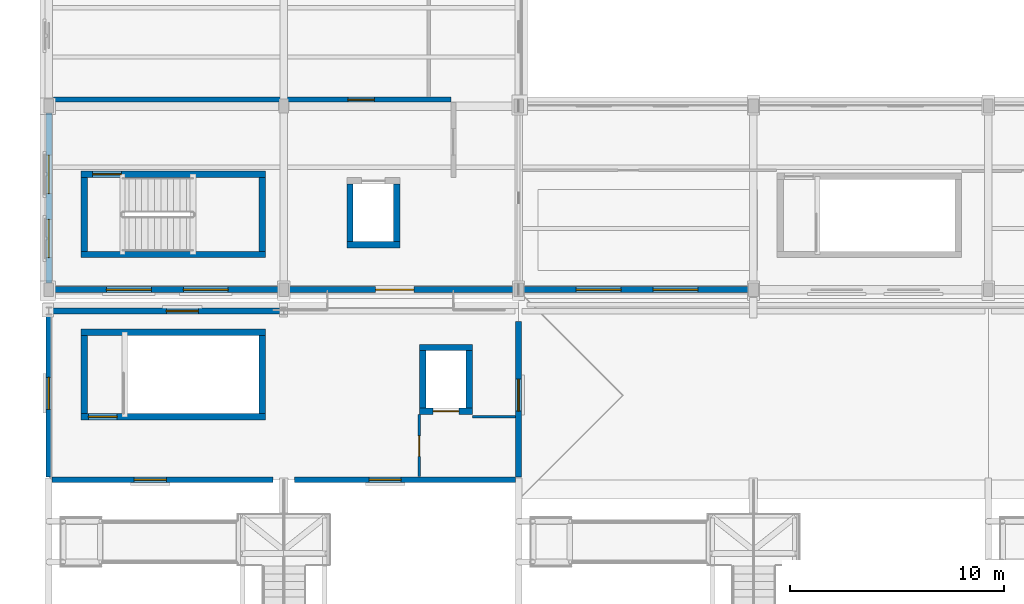
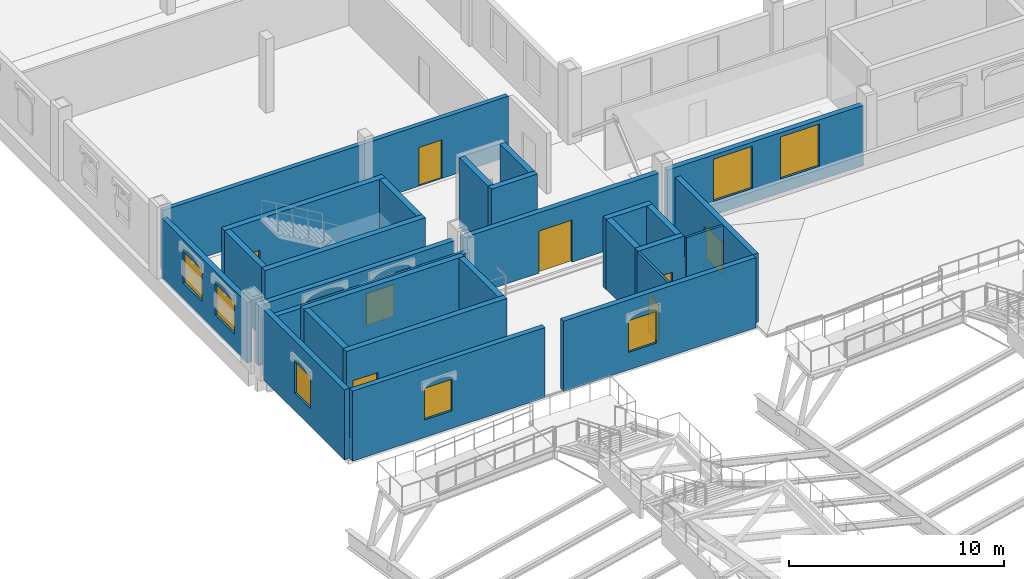
# One storey, part 22 of 43: 27 walls, 11 windows, 6 doors, 17 openings.
"""IFC4 building model written with IfcOpenShell, lengths in metres."""

from ifc_helpers import new_model, si_unit, direction, frame, frame_2d, origin, place, context, subcontext, project, spatial, rectangle, extrude, material, layer, layer_set, type_object, element, fill, save


model = new_model("IFC4")

# Units and contexts
model_context = context("Model", 3, precision=1e-05, world=origin(), true_north=direction((0.0, 1.0)))
body_context = subcontext(model_context, "Body", "Model", "MODEL_VIEW")
ifc_project = project(units=[si_unit("LENGTHUNIT", "METRE"), si_unit("AREAUNIT", "SQUARE_METRE"), si_unit("VOLUMEUNIT", "CUBIC_METRE"), si_unit("PLANEANGLEUNIT", "RADIAN"), si_unit("MASSUNIT", "GRAM", prefix="KILO")], contexts=[model_context])

# Site, building, storey
site_placement = place(None, origin())
site = spatial("IfcSite", under=ifc_project, at=site_placement, CompositionType="ELEMENT")
building_placement = place(site_placement, origin())
building = spatial("IfcBuilding", under=site, at=building_placement, Name="Caurita Quay Ferry Terminal", CompositionType="ELEMENT")
storey_placement = place(building_placement, frame((0.0, 0.0, 14.10009765625)))
storey = spatial("IfcBuildingStorey", under=building, at=storey_placement, Name="L03", CompositionType="ELEMENT", Elevation=14.10009765625)

# Wall, opening, door
ifc_material_1 = material(Name="Warm-white lime stucco masonry", Category="masonry")
ifc_layer_1 = layer(ifc_material_1, 0.239990234375, Name="Interior partitioning wall 240 mm")
ifc_layer_set_1 = layer_set([ifc_layer_1], Name="Warm-white lime stucco masonry")
wall_type_1 = type_object("IfcWallType", Name="WL-COMP-240", PredefinedType="PARTITIONING", material=ifc_layer_set_1)
wall_1_placement = place(storey_placement, frame((0.22998046875, 80.5, 0.0), z_axis=(0.0, 0.0, 1.0), x_axis=(1.0, 0.0, 0.0)))
wall_1 = element("IfcWall", 1, at=wall_1_placement, inside=storey, type_object=wall_type_1, Name="L03 Interior Partition IW-L03-101", PredefinedType="PARTITIONING", context=body_context, shape_type="SweptSolid", body=[
    extrude(rectangle(XDim=18.594970703125, YDim=0.239990234375, at=frame_2d((9.29736328125, 0.0))), origin(), (0.0, 0.0, 1.0), 3.43896484375),
])
opening_1_placement = place(wall_1_placement, frame((13.77001953125, 0.0, 0.0)))
opening_1 = element("IfcOpeningElement", 2, at=opening_1_placement, cuts=wall_1, Name="Opening FD-01", PredefinedType="OPENING", context=body_context, shape_type="SweptSolid", body=[
    extrude(rectangle(XDim=1.25, YDim=2.199951171875, at=frame_2d((0.625, 1.10009765625))), frame((0.0, 0.1298828125, 0.0), z_axis=(0.0, -1.0, 0.0), x_axis=(1.0, 0.0, 0.0)), (0.0, 0.0, 1.0), 0.260009765625),
])
ifc_material_2 = material(Name="Anodized aluminium 6063-T6", Category="aluminium")
door_type_1 = type_object("IfcDoorType", Name="DR-FF-1100", OperationType="NOTDEFINED", PredefinedType="DOOR", material=ifc_material_2)
door_1_placement = place(opening_1_placement, frame((1.25, 0.0, 0.0), z_axis=(0.0, 0.0, 1.0), x_axis=(-1.0, 0.0, 0.0)))
door_1 = element("IfcDoor", 3, at=door_1_placement, inside=storey, type_object=door_type_1, Name="Firefighting Lobby L03 South Door", OperationType="SINGLE_SWING_RIGHT", OverallHeight=2.199951171875, OverallWidth=1.25, PredefinedType="DOOR", context=body_context, shape_type="SweptSolid", body=[
    extrude(rectangle(XDim=1.25, YDim=2.199951171875, at=frame_2d((0.625, 1.10009765625))), frame((0.0, 0.02490234375, 0.0), z_axis=(0.0, -1.0, 0.0), x_axis=(1.0, 0.0, 0.0)), (0.0, 0.0, 1.0), 0.050048828125),
])
fill(opening_1, door_1)

# Wall
ifc_material_3 = material(Name="Reinforced concrete C35/45", Category="concrete")
ifc_layer_2 = layer(ifc_material_3, 0.300048828125, Name="Interior shear wall 300 mm")
ifc_layer_set_2 = layer_set([ifc_layer_2], Name="Reinforced concrete C35/45")
wall_type_2 = type_object("IfcWallType", Name="WL-CORE-300", PredefinedType="SHEAR", material=ifc_layer_set_2)
wall_2_placement = place(storey_placement, frame((1.5, 73.25, 0.0), z_axis=(0.0, 0.0, 1.0), x_axis=(1.0, 0.0, 0.0)))
element("IfcWall", 4, at=wall_2_placement, inside=storey, type_object=wall_type_2, Name="L03 ST-02 Core Wall South", PredefinedType="SHEAR", context=body_context, shape_type="SweptSolid", body=[
    extrude(rectangle(XDim=8.64990234375, YDim=0.300048828125, at=frame_2d((4.324951171875, 0.0))), origin(), (0.0, 0.0, 1.0), 3.97998046875),
])

# Wall, opening, door
wall_3_placement = place(storey_placement, frame((10.14990234375, 77.010009765625, 0.0), z_axis=(0.0, 0.0, 1.0), x_axis=(-1.0, 0.0, 0.0)))
wall_3 = element("IfcWall", 5, at=wall_3_placement, inside=storey, type_object=wall_type_2, Name="L03 ST-02 Core Wall North", PredefinedType="SHEAR", context=body_context, shape_type="SweptSolid", body=[
    extrude(rectangle(XDim=8.64990234375, YDim=0.300048828125, at=frame_2d((4.324951171875, 0.0))), origin(), (0.0, 0.0, 1.0), 3.97998046875),
])
opening_2_placement = place(wall_3_placement, frame((6.75, 0.0, 0.0)))
opening_2 = element("IfcOpeningElement", 6, at=opening_2_placement, cuts=wall_3, Name="Opening SD-01", PredefinedType="OPENING", context=body_context, shape_type="SweptSolid", body=[
    extrude(rectangle(XDim=1.35009765625, YDim=2.199951171875, at=frame_2d((0.675048828125, 1.10009765625))), frame((0.0, 0.159912109375, 0.0), z_axis=(0.0, -1.0, 0.0), x_axis=(1.0, 0.0, 0.0)), (0.0, 0.0, 1.0), 0.320068359375),
])
door_type_2 = type_object("IfcDoorType", Name="DR-ST-1200", OperationType="NOTDEFINED", PredefinedType="DOOR", material=ifc_material_2)
door_2_placement = place(opening_2_placement, origin())
door_2 = element("IfcDoor", 7, at=door_2_placement, inside=storey, type_object=door_type_2, Name="L03 Exit Stair ST-02 Fire Door", OperationType="SINGLE_SWING_LEFT", OverallHeight=2.199951171875, OverallWidth=1.35009765625, PredefinedType="DOOR", context=body_context, shape_type="SweptSolid", body=[
    extrude(rectangle(XDim=1.35009765625, YDim=2.199951171875, at=frame_2d((0.675048828125, 1.10009765625))), frame((0.0, 0.02490234375, 0.0), z_axis=(0.0, -1.0, 0.0), x_axis=(1.0, 0.0, 0.0)), (0.0, 0.0, 1.0), 0.050048828125),
])
fill(opening_2, door_2)

# Walls
for number, where, z_axis, x_axis, name in (
    (8, (1.64990234375, 76.860107421875, 0.0), (0.0, 0.0, 1.0), (0.0, -1.0, 0.0), "L03 ST-02 Core Wall West"),
    (9, (10.0, 73.39990234375, 0.0), (0.0, 0.0, 1.0), (0.0, 1.0, 0.0), "L03 ST-02 Core Wall East"),
):
    element("IfcWall", number, at=place(storey_placement, frame(where, z_axis=z_axis, x_axis=x_axis)), inside=storey, type_object=wall_type_2, Name=name, PredefinedType="SHEAR", context=body_context, shape_type="SweptSolid", body=[
        extrude(rectangle(XDim=3.460205078125, YDim=0.300048828125, at=frame_2d((1.72998046875, 0.0))), origin(), (0.0, 0.0, 1.0), 3.97998046875),
    ])

# Wall, opening, door
wall_4_placement = place(storey_placement, frame((1.5, 65.64990234375, 0.0), z_axis=(0.0, 0.0, 1.0), x_axis=(1.0, 0.0, 0.0)))
wall_4 = element("IfcWall", 10, at=wall_4_placement, inside=storey, type_object=wall_type_2, Name="L03 ST-05 Core Wall South", PredefinedType="SHEAR", context=body_context, shape_type="SweptSolid", body=[
    extrude(rectangle(XDim=8.64990234375, YDim=0.300048828125, at=frame_2d((4.324951171875, 0.0))), origin(), (0.0, 0.0, 1.0), 3.989990234375),
])
opening_3_placement = place(wall_4_placement, frame((0.35009765625, 0.0, 0.0)))
opening_3 = element("IfcOpeningElement", 11, at=opening_3_placement, cuts=wall_4, Name="Opening SD-01", PredefinedType="OPENING", context=body_context, shape_type="SweptSolid", body=[
    extrude(rectangle(XDim=1.35009765625, YDim=2.199951171875, at=frame_2d((0.675048828125, 1.10009765625))), frame((0.0, 0.159912109375, 0.0), z_axis=(0.0, -1.0, 0.0), x_axis=(1.0, 0.0, 0.0)), (0.0, 0.0, 1.0), 0.320068359375),
])
door_3_placement = place(opening_3_placement, origin())
door_3 = element("IfcDoor", 12, at=door_3_placement, inside=storey, type_object=door_type_2, Name="L03 Exit Stair ST-05 Fire Door", OperationType="SINGLE_SWING_LEFT", OverallHeight=2.199951171875, OverallWidth=1.35009765625, PredefinedType="DOOR", context=body_context, shape_type="SweptSolid", body=[
    extrude(rectangle(XDim=1.35009765625, YDim=2.199951171875, at=frame_2d((0.675048828125, 1.10009765625))), frame((0.0, 0.02490234375, 0.0), z_axis=(0.0, -1.0, 0.0), x_axis=(1.0, 0.0, 0.0)), (0.0, 0.0, 1.0), 0.050048828125),
])
fill(opening_3, door_3)

# Walls
wall_5_placement = place(storey_placement, frame((10.14990234375, 69.610107421875, 0.0), z_axis=(0.0, 0.0, 1.0), x_axis=(-1.0, 0.0, 0.0)))
element("IfcWall", 13, at=wall_5_placement, inside=storey, type_object=wall_type_2, Name="L03 ST-05 Core Wall North", PredefinedType="SHEAR", context=body_context, shape_type="SweptSolid", body=[
    extrude(rectangle(XDim=8.64990234375, YDim=0.300048828125, at=frame_2d((4.324951171875, 0.0))), origin(), (0.0, 0.0, 1.0), 3.989990234375),
])
for number, where, z_axis, x_axis, name in (
    (14, (1.64990234375, 69.4599609375, 0.0), (0.0, 0.0, 1.0), (0.0, -1.0, 0.0), "L03 ST-05 Core Wall West"),
    (15, (10.0, 65.800048828125, 0.0), (0.0, 0.0, 1.0), (0.0, 1.0, 0.0), "L03 ST-05 Core Wall East"),
):
    element("IfcWall", number, at=place(storey_placement, frame(where, z_axis=z_axis, x_axis=x_axis)), inside=storey, type_object=wall_type_2, Name=name, PredefinedType="SHEAR", context=body_context, shape_type="SweptSolid", body=[
        extrude(rectangle(XDim=3.659912109375, YDim=0.300048828125, at=frame_2d((1.830078125, 0.0))), origin(), (0.0, 0.0, 1.0), 3.989990234375),
    ])
wall_6_placement = place(storey_placement, frame((13.955078125, 73.705078125, 0.0), z_axis=(0.0, 0.0, 1.0), x_axis=(1.0, 0.0, 0.0)))
element("IfcWall", 16, at=wall_6_placement, inside=storey, type_object=wall_type_2, Name="L03 Lift LF-02 Shaft Wall South", PredefinedType="SHEAR", context=body_context, shape_type="SweptSolid", body=[
    extrude(rectangle(XDim=2.489990234375, YDim=0.300048828125, at=frame_2d((1.2451171875, 0.0))), origin(), (0.0, 0.0, 1.0), 3.97998046875),
])
for number, where, z_axis, x_axis, name in (
    (17, (14.10498046875, 76.544921875, 0.0), (0.0, 0.0, 1.0), (0.0, -1.0, 0.0), "L03 Lift LF-02 Shaft Wall West"),
    (18, (16.294921875, 73.85498046875, 0.0), (0.0, 0.0, 1.0), (0.0, 1.0, 0.0), "L03 Lift LF-02 Shaft Wall East"),
):
    element("IfcWall", number, at=place(storey_placement, frame(where, z_axis=z_axis, x_axis=x_axis)), inside=storey, type_object=wall_type_2, Name=name, PredefinedType="SHEAR", context=body_context, shape_type="SweptSolid", body=[
        extrude(rectangle(XDim=2.68994140625, YDim=0.300048828125, at=frame_2d((1.344970703125, 0.0))), origin(), (0.0, 0.0, 1.0), 3.97998046875),
    ])

# Wall, opening, door
wall_7_placement = place(storey_placement, frame((17.35498046875, 65.905029296875, 0.0), z_axis=(0.0, 0.0, 1.0), x_axis=(1.0, 0.0, 0.0)))
wall_7 = element("IfcWall", 19, at=wall_7_placement, inside=storey, type_object=wall_type_2, Name="L03 Lift LP-01 Shaft Wall South", PredefinedType="SHEAR", context=body_context, shape_type="SweptSolid", body=[
    extrude(rectangle(XDim=2.489990234375, YDim=0.300048828125, at=frame_2d((1.2451171875, 0.0))), origin(), (0.0, 0.0, 1.0), 3.989990234375),
])
opening_4_placement = place(wall_7_placement, frame((0.64501953125, 0.0, 0.0)))
opening_4 = element("IfcOpeningElement", 20, at=opening_4_placement, cuts=wall_7, Name="Opening LD-02", PredefinedType="OPENING", context=body_context, shape_type="SweptSolid", body=[
    extrude(rectangle(XDim=1.199951171875, YDim=2.14990234375, at=frame_2d((0.60009765625, 1.074951171875))), frame((0.0, 0.159912109375, 0.0), z_axis=(0.0, -1.0, 0.0), x_axis=(1.0, 0.0, 0.0)), (0.0, 0.0, 1.0), 0.320068359375),
])
ifc_material_4 = material(Name="Bronze architectural metalwork", Category="metal")
door_type_3 = type_object("IfcDoorType", Name="DR-LD-02", OperationType="DOUBLE_DOOR_SLIDING", PredefinedType="DOOR", material=ifc_material_4)
door_4_placement = place(opening_4_placement, frame((1.199951171875, 0.0, 0.0), z_axis=(0.0, 0.0, 1.0), x_axis=(-1.0, 0.0, 0.0)))
door_4 = element("IfcDoor", 21, at=door_4_placement, inside=storey, type_object=door_type_3, Name="L03 Lift LP-01 Sliding Landing Door", OperationType="DOUBLE_DOOR_SLIDING", OverallHeight=2.14990234375, OverallWidth=1.199951171875, PredefinedType="DOOR", context=body_context, shape_type="SweptSolid", body=[
    extrude(rectangle(XDim=1.199951171875, YDim=2.14990234375, at=frame_2d((0.60009765625, 1.074951171875))), frame((0.0, 0.02490234375, 0.0), z_axis=(0.0, -1.0, 0.0), x_axis=(1.0, 0.0, 0.0)), (0.0, 0.0, 1.0), 0.050048828125),
])
fill(opening_4, door_4)

# Walls
wall_8_placement = place(storey_placement, frame((19.844970703125, 68.89501953125, 0.0), z_axis=(0.0, 0.0, 1.0), x_axis=(-1.0, 0.0, 0.0)))
element("IfcWall", 22, at=wall_8_placement, inside=storey, type_object=wall_type_2, Name="L03 Lift LP-01 Shaft Wall North", PredefinedType="SHEAR", context=body_context, shape_type="SweptSolid", body=[
    extrude(rectangle(XDim=2.489990234375, YDim=0.300048828125, at=frame_2d((1.2451171875, 0.0))), origin(), (0.0, 0.0, 1.0), 3.989990234375),
])
for number, where, z_axis, x_axis, name in (
    (23, (17.5048828125, 68.7451171875, 0.0), (0.0, 0.0, 1.0), (0.0, -1.0, 0.0), "L03 Lift LP-01 Shaft Wall West"),
    (24, (19.695068359375, 66.054931640625, 0.0), (0.0, 0.0, 1.0), (0.0, 1.0, 0.0), "L03 Lift LP-01 Shaft Wall East"),
):
    element("IfcWall", number, at=place(storey_placement, frame(where, z_axis=z_axis, x_axis=x_axis)), inside=storey, type_object=wall_type_2, Name=name, PredefinedType="SHEAR", context=body_context, shape_type="SweptSolid", body=[
        extrude(rectangle(XDim=2.690185546875, YDim=0.300048828125, at=frame_2d((1.34521484375, 0.0))), origin(), (0.0, 0.0, 1.0), 3.989990234375),
    ])

# Wall, openings, windows
ifc_layer_3 = layer(ifc_material_1, 0.280029296875, Name="Exterior solidwall wall 280 mm")
ifc_layer_set_3 = layer_set([ifc_layer_3], Name="Warm-white lime stucco masonry")
wall_type_3 = type_object("IfcWallType", Name="WL-EXT-280", PredefinedType="SOLIDWALL", material=ifc_layer_set_3)
wall_9_placement = place(storey_placement, frame((0.0, 79.876953125, 0.0), z_axis=(0.0, 0.0, 1.0), x_axis=(0.0, -1.0, 0.0)))
wall_9 = element("IfcWall", 25, at=wall_9_placement, inside=storey, type_object=wall_type_3, Name="L03 Exterior Wall EW-L03-047", PredefinedType="SOLIDWALL", context=body_context, shape_type="SweptSolid", body=[
    extrude(rectangle(XDim=7.953857421875, YDim=0.280029296875, at=frame_2d((3.97705078125, 0.0))), origin(), (0.0, 0.0, 1.0), 3.43896484375),
])
opening_5_placement = place(wall_9_placement, frame((1.97705078125, 0.0, 0.949951171875)))
opening_5 = element("IfcOpeningElement", 26, at=opening_5_placement, cuts=wall_9, Name="Opening W-09", PredefinedType="OPENING", context=body_context, shape_type="SweptSolid", body=[
    extrude(rectangle(XDim=1.800048828125, YDim=1.800048828125, at=frame_2d((0.89990234375, 0.89990234375))), frame((0.0, 0.14990234375, 0.0), z_axis=(0.0, -1.0, 0.0), x_axis=(1.0, 0.0, 0.0)), (0.0, 0.0, 1.0), 0.300048828125),
])
opening_6_placement = place(wall_9_placement, frame((4.97705078125, 0.0, 0.949951171875)))
opening_6 = element("IfcOpeningElement", 27, at=opening_6_placement, cuts=wall_9, Name="Opening W-09", PredefinedType="OPENING", context=body_context, shape_type="SweptSolid", body=[
    extrude(rectangle(XDim=1.800048828125, YDim=1.800048828125, at=frame_2d((0.89990234375, 0.89990234375))), frame((0.0, 0.14990234375, 0.0), z_axis=(0.0, -1.0, 0.0), x_axis=(1.0, 0.0, 0.0)), (0.0, 0.0, 1.0), 0.300048828125),
])
ifc_material_5 = material(Name="Laminated solar-control insulated glass", Category="glass")
window_type_1 = type_object("IfcWindowType", Name="WIN-SC-1818", PartitioningType="SINGLE_PANEL", PredefinedType="WINDOW", material=ifc_material_5)
window_1_placement = place(opening_5_placement, origin())
window_1 = element("IfcWindow", 28, at=window_1_placement, inside=storey, type_object=window_type_1, Name="L03 Casement Window WN-L03-069", OverallHeight=1.800048828125, OverallWidth=1.800048828125, PartitioningType="SINGLE_PANEL", PredefinedType="WINDOW", context=body_context, shape_type="SweptSolid", body=[
    extrude(rectangle(XDim=1.800048828125, YDim=1.800048828125, at=frame_2d((0.89990234375, 0.89990234375))), frame((0.0, 0.030029296875, 0.0), z_axis=(0.0, -1.0, 0.0), x_axis=(1.0, 0.0, 0.0)), (0.0, 0.0, 1.0), 0.06005859375),
])
fill(opening_5, window_1)
window_2_placement = place(opening_6_placement, origin())
window_2 = element("IfcWindow", 29, at=window_2_placement, inside=storey, type_object=window_type_1, Name="L03 Casement Window WN-L03-070", OverallHeight=1.800048828125, OverallWidth=1.800048828125, PartitioningType="SINGLE_PANEL", PredefinedType="WINDOW", context=body_context, shape_type="SweptSolid", body=[
    extrude(rectangle(XDim=1.800048828125, YDim=1.800048828125, at=frame_2d((0.89990234375, 0.89990234375))), frame((0.0, 0.030029296875, 0.0), z_axis=(0.0, -1.0, 0.0), x_axis=(1.0, 0.0, 0.0)), (0.0, 0.0, 1.0), 0.06005859375),
])
fill(opening_6, window_2)

wall_10_placement = place(storey_placement, frame((0.222900390625, 71.60009765625, 0.0), z_axis=(0.0, 0.0, 1.0), x_axis=(1.0, 0.0, 0.0)))
wall_10 = element("IfcWall", 30, at=wall_10_placement, inside=storey, type_object=wall_type_3, Name="L03 Exterior Wall EW-L03-076", PredefinedType="SOLIDWALL", context=body_context, shape_type="SweptSolid", body=[
    extrude(rectangle(XDim=10.55419921875, YDim=0.280029296875, at=frame_2d((5.277099609375, 0.0))), origin(), (0.0, 0.0, 1.0), 3.4365234375),
])
opening_7_placement = place(wall_10_placement, frame((2.47705078125, 0.0, 0.949951171875)))
opening_7 = element("IfcOpeningElement", 31, at=opening_7_placement, cuts=wall_10, Name="Opening W-11", PredefinedType="OPENING", context=body_context, shape_type="SweptSolid", body=[
    extrude(rectangle(XDim=2.10009765625, YDim=1.800048828125, at=frame_2d((1.050048828125, 0.89990234375))), frame((0.0, 0.14990234375, 0.0), z_axis=(0.0, -1.0, 0.0), x_axis=(1.0, 0.0, 0.0)), (0.0, 0.0, 1.0), 0.300048828125),
])
opening_8_placement = place(wall_10_placement, frame((6.076904296875, 0.0, 0.949951171875)))
opening_8 = element("IfcOpeningElement", 32, at=opening_8_placement, cuts=wall_10, Name="Opening W-11", PredefinedType="OPENING", context=body_context, shape_type="SweptSolid", body=[
    extrude(rectangle(XDim=2.10009765625, YDim=1.800048828125, at=frame_2d((1.050048828125, 0.89990234375))), frame((0.0, 0.14990234375, 0.0), z_axis=(0.0, -1.0, 0.0), x_axis=(1.0, 0.0, 0.0)), (0.0, 0.0, 1.0), 0.300048828125),
])
window_type_2 = type_object("IfcWindowType", Name="WIN-SC-2118", PartitioningType="SINGLE_PANEL", PredefinedType="WINDOW", material=ifc_material_5)
window_3_placement = place(opening_7_placement, origin())
window_3 = element("IfcWindow", 33, at=window_3_placement, inside=storey, type_object=window_type_2, Name="L03 Casement Window WN-L03-113", OverallHeight=1.800048828125, OverallWidth=2.10009765625, PartitioningType="SINGLE_PANEL", PredefinedType="WINDOW", context=body_context, shape_type="SweptSolid", body=[
    extrude(rectangle(XDim=2.10009765625, YDim=1.800048828125, at=frame_2d((1.050048828125, 0.89990234375))), frame((0.0, 0.030029296875, 0.0), z_axis=(0.0, -1.0, 0.0), x_axis=(1.0, 0.0, 0.0)), (0.0, 0.0, 1.0), 0.06005859375),
])
fill(opening_7, window_3)
window_4_placement = place(opening_8_placement, origin())
window_4 = element("IfcWindow", 34, at=window_4_placement, inside=storey, type_object=window_type_2, Name="L03 Casement Window WN-L03-114", OverallHeight=1.800048828125, OverallWidth=2.10009765625, PartitioningType="SINGLE_PANEL", PredefinedType="WINDOW", context=body_context, shape_type="SweptSolid", body=[
    extrude(rectangle(XDim=2.10009765625, YDim=1.800048828125, at=frame_2d((1.050048828125, 0.89990234375))), frame((0.0, 0.030029296875, 0.0), z_axis=(0.0, -1.0, 0.0), x_axis=(1.0, 0.0, 0.0)), (0.0, 0.0, 1.0), 0.06005859375),
])
fill(opening_8, window_4)

# Wall, opening, door
wall_11_placement = place(storey_placement, frame((11.222900390625, 71.60009765625, 0.0), z_axis=(0.0, 0.0, 1.0), x_axis=(1.0, 0.0, 0.0)))
wall_11 = element("IfcWall", 35, at=wall_11_placement, inside=storey, type_object=wall_type_3, Name="L03 Exterior Wall EW-L03-077", PredefinedType="SOLIDWALL", context=body_context, shape_type="SweptSolid", body=[
    extrude(rectangle(XDim=10.55419921875, YDim=0.280029296875, at=frame_2d((5.277099609375, 0.0))), origin(), (0.0, 0.0, 1.0), 3.4365234375),
])
opening_9_placement = place(wall_11_placement, frame((4.076904296875, 0.0, 0.0)))
opening_9 = element("IfcOpeningElement", 36, at=opening_9_placement, cuts=wall_11, Name="Opening ED-03", PredefinedType="OPENING", context=body_context, shape_type="SweptSolid", body=[
    extrude(rectangle(XDim=1.800048828125, YDim=2.39990234375, at=frame_2d((0.89990234375, 1.199951171875))), frame((0.0, 0.14990234375, 0.0), z_axis=(0.0, -1.0, 0.0), x_axis=(1.0, 0.0, 0.0)), (0.0, 0.0, 1.0), 0.300048828125),
])
door_type_4 = type_object("IfcDoorType", Name="DR-EXT-1824", OperationType="NOTDEFINED", PredefinedType="DOOR", material=ifc_material_2)
door_5_placement = place(opening_9_placement, frame((1.800048828125, 0.0, 0.0), z_axis=(0.0, 0.0, 1.0), x_axis=(-1.0, 0.0, 0.0)))
door_5 = element("IfcDoor", 37, at=door_5_placement, inside=storey, type_object=door_type_4, Name="L03 Seismic Link Door SJ4-W", OperationType="SINGLE_SWING_RIGHT", OverallHeight=2.39990234375, OverallWidth=1.800048828125, PredefinedType="DOOR", context=body_context, shape_type="SweptSolid", body=[
    extrude(rectangle(XDim=1.800048828125, YDim=2.39990234375, at=frame_2d((0.89990234375, 1.199951171875))), frame((0.0, 0.02490234375, 0.0), z_axis=(0.0, -1.0, 0.0), x_axis=(1.0, 0.0, 0.0)), (0.0, 0.0, 1.0), 0.050048828125),
])
fill(opening_9, door_5)

# Wall, openings, windows
wall_12_placement = place(storey_placement, frame((22.222900390625, 71.60009765625, 0.0), z_axis=(0.0, 0.0, 1.0), x_axis=(1.0, 0.0, 0.0)))
wall_12 = element("IfcWall", 38, at=wall_12_placement, inside=storey, type_object=wall_type_3, Name="L03 Exterior Wall EW-L03-078", PredefinedType="SOLIDWALL", context=body_context, shape_type="SweptSolid", body=[
    extrude(rectangle(XDim=10.55419921875, YDim=0.280029296875, at=frame_2d((5.277099609375, 0.0))), origin(), (0.0, 0.0, 1.0), 3.4365234375),
])
opening_10_placement = place(wall_12_placement, frame((2.47705078125, 0.0, 0.800048828125)))
opening_10 = element("IfcOpeningElement", 39, at=opening_10_placement, cuts=wall_12, Name="Opening W-12", PredefinedType="OPENING", context=body_context, shape_type="SweptSolid", body=[
    extrude(rectangle(XDim=2.10009765625, YDim=2.39990234375, at=frame_2d((1.050048828125, 1.199951171875))), frame((0.0, 0.14990234375, 0.0), z_axis=(0.0, -1.0, 0.0), x_axis=(1.0, 0.0, 0.0)), (0.0, 0.0, 1.0), 0.300048828125),
])
opening_11_placement = place(wall_12_placement, frame((6.076904296875, 0.0, 0.800048828125)))
opening_11 = element("IfcOpeningElement", 40, at=opening_11_placement, cuts=wall_12, Name="Opening W-12", PredefinedType="OPENING", context=body_context, shape_type="SweptSolid", body=[
    extrude(rectangle(XDim=2.10009765625, YDim=2.39990234375, at=frame_2d((1.050048828125, 1.199951171875))), frame((0.0, 0.14990234375, 0.0), z_axis=(0.0, -1.0, 0.0), x_axis=(1.0, 0.0, 0.0)), (0.0, 0.0, 1.0), 0.300048828125),
])
window_type_3 = type_object("IfcWindowType", Name="WIN-SC-2124", PartitioningType="SINGLE_PANEL", PredefinedType="WINDOW", material=ifc_material_5)
window_5_placement = place(opening_10_placement, origin())
window_5 = element("IfcWindow", 41, at=window_5_placement, inside=storey, type_object=window_type_3, Name="L03 Casement Window WN-L03-115", OverallHeight=2.39990234375, OverallWidth=2.10009765625, PartitioningType="SINGLE_PANEL", PredefinedType="WINDOW", context=body_context, shape_type="SweptSolid", body=[
    extrude(rectangle(XDim=2.10009765625, YDim=2.39990234375, at=frame_2d((1.050048828125, 1.199951171875))), frame((0.0, 0.030029296875, 0.0), z_axis=(0.0, -1.0, 0.0), x_axis=(1.0, 0.0, 0.0)), (0.0, 0.0, 1.0), 0.06005859375),
])
fill(opening_10, window_5)
window_6_placement = place(opening_11_placement, origin())
window_6 = element("IfcWindow", 42, at=window_6_placement, inside=storey, type_object=window_type_3, Name="L03 Casement Window WN-L03-116", OverallHeight=2.39990234375, OverallWidth=2.10009765625, PartitioningType="SINGLE_PANEL", PredefinedType="WINDOW", context=body_context, shape_type="SweptSolid", body=[
    extrude(rectangle(XDim=2.10009765625, YDim=2.39990234375, at=frame_2d((1.050048828125, 1.199951171875))), frame((0.0, 0.030029296875, 0.0), z_axis=(0.0, -1.0, 0.0), x_axis=(1.0, 0.0, 0.0)), (0.0, 0.0, 1.0), 0.06005859375),
])
fill(opening_11, window_6)

# Wall, opening, window
wall_13_placement = place(storey_placement, frame((10.99560546875, 70.60009765625, 0.0), z_axis=(0.0, 0.0, 1.0), x_axis=(-1.0, 0.0, 0.0)))
wall_13 = element("IfcWall", 43, at=wall_13_placement, inside=storey, type_object=wall_type_3, Name="L03 Exterior Wall EW-L03-200", PredefinedType="SOLIDWALL", context=body_context, shape_type="SweptSolid", body=[
    extrude(rectangle(XDim=10.9912109375, YDim=0.280029296875, at=frame_2d((5.49560546875, 0.0))), origin(), (0.0, 0.0, 1.0), 3.302001953125),
])
opening_12_placement = place(wall_13_placement, frame((3.99560546875, 0.0, 1.0)))
opening_12 = element("IfcOpeningElement", 44, at=opening_12_placement, cuts=wall_13, Name="Opening W-06", PredefinedType="OPENING", context=body_context, shape_type="SweptSolid", body=[
    extrude(rectangle(XDim=1.5, YDim=1.800048828125, at=frame_2d((0.75, 0.89990234375))), frame((0.0, 0.14990234375, 0.0), z_axis=(0.0, -1.0, 0.0), x_axis=(1.0, 0.0, 0.0)), (0.0, 0.0, 1.0), 0.300048828125),
])
window_type_4 = type_object("IfcWindowType", Name="WIN-SC-1518", PartitioningType="SINGLE_PANEL", PredefinedType="WINDOW", material=ifc_material_5)
window_7_placement = place(opening_12_placement, origin())
window_7 = element("IfcWindow", 45, at=window_7_placement, inside=storey, type_object=window_type_4, Name="L03 Casement Window WN-L03-307", OverallHeight=1.800048828125, OverallWidth=1.5, PartitioningType="SINGLE_PANEL", PredefinedType="WINDOW", context=body_context, shape_type="SweptSolid", body=[
    extrude(rectangle(XDim=1.5, YDim=1.800048828125, at=frame_2d((0.75, 0.89990234375))), frame((0.0, 0.030029296875, 0.0), z_axis=(0.0, -1.0, 0.0), x_axis=(1.0, 0.0, 0.0)), (0.0, 0.0, 1.0), 0.06005859375),
])
fill(opening_12, window_7)

wall_14_placement = place(storey_placement, frame((0.137939453125, 62.699951171875, 0.0), z_axis=(0.0, 0.0, 1.0), x_axis=(1.0, 0.0, 0.0)))
wall_14 = element("IfcWall", 46, at=wall_14_placement, inside=storey, type_object=wall_type_3, Name="L03 Exterior Wall EW-L03-201", PredefinedType="SOLIDWALL", context=body_context, shape_type="SweptSolid", body=[
    extrude(rectangle(XDim=10.362060546875, YDim=0.280029296875, at=frame_2d((5.18115234375, 0.0))), origin(), (0.0, 0.0, 1.0), 3.989990234375),
])
opening_13_placement = place(wall_14_placement, frame((3.862060546875, 0.0, 1.0)))
opening_13 = element("IfcOpeningElement", 47, at=opening_13_placement, cuts=wall_14, Name="Opening W-06", PredefinedType="OPENING", context=body_context, shape_type="SweptSolid", body=[
    extrude(rectangle(XDim=1.5, YDim=1.800048828125, at=frame_2d((0.75, 0.89990234375))), frame((0.0, 0.14990234375, 0.0), z_axis=(0.0, -1.0, 0.0), x_axis=(1.0, 0.0, 0.0)), (0.0, 0.0, 1.0), 0.300048828125),
])
window_8_placement = place(opening_13_placement, origin())
window_8 = element("IfcWindow", 48, at=window_8_placement, inside=storey, type_object=window_type_4, Name="L03 Casement Window WN-L03-308", OverallHeight=1.800048828125, OverallWidth=1.5, PartitioningType="SINGLE_PANEL", PredefinedType="WINDOW", context=body_context, shape_type="SweptSolid", body=[
    extrude(rectangle(XDim=1.5, YDim=1.800048828125, at=frame_2d((0.75, 0.89990234375))), frame((0.0, 0.030029296875, 0.0), z_axis=(0.0, -1.0, 0.0), x_axis=(1.0, 0.0, 0.0)), (0.0, 0.0, 1.0), 0.06005859375),
])
fill(opening_13, window_8)

wall_15_placement = place(storey_placement, frame((11.5, 62.699951171875, 0.0), z_axis=(0.0, 0.0, 1.0), x_axis=(1.0, 0.0, 0.0)))
wall_15 = element("IfcWall", 49, at=wall_15_placement, inside=storey, type_object=wall_type_3, Name="L03 Exterior Wall EW-L03-202", PredefinedType="SOLIDWALL", context=body_context, shape_type="SweptSolid", body=[
    extrude(rectangle(XDim=10.362060546875, YDim=0.280029296875, at=frame_2d((5.18115234375, 0.0))), origin(), (0.0, 0.0, 1.0), 3.989990234375),
])
opening_14_placement = place(wall_15_placement, frame((3.5, 0.0, 1.0)))
opening_14 = element("IfcOpeningElement", 50, at=opening_14_placement, cuts=wall_15, Name="Opening W-06", PredefinedType="OPENING", context=body_context, shape_type="SweptSolid", body=[
    extrude(rectangle(XDim=1.5, YDim=1.800048828125, at=frame_2d((0.75, 0.89990234375))), frame((0.0, 0.14990234375, 0.0), z_axis=(0.0, -1.0, 0.0), x_axis=(1.0, 0.0, 0.0)), (0.0, 0.0, 1.0), 0.300048828125),
])
window_9_placement = place(opening_14_placement, origin())
window_9 = element("IfcWindow", 51, at=window_9_placement, inside=storey, type_object=window_type_4, Name="L03 Casement Window WN-L03-309", OverallHeight=1.800048828125, OverallWidth=1.5, PartitioningType="SINGLE_PANEL", PredefinedType="WINDOW", context=body_context, shape_type="SweptSolid", body=[
    extrude(rectangle(XDim=1.5, YDim=1.800048828125, at=frame_2d((0.75, 0.89990234375))), frame((0.0, 0.030029296875, 0.0), z_axis=(0.0, -1.0, 0.0), x_axis=(1.0, 0.0, 0.0)), (0.0, 0.0, 1.0), 0.06005859375),
])
fill(opening_14, window_9)

wall_16_placement = place(storey_placement, frame((0.0, 70.42041015625, 0.0), z_axis=(0.0, 0.0, 1.0), x_axis=(0.0, -1.0, 0.0)))
wall_16 = element("IfcWall", 52, at=wall_16_placement, inside=storey, type_object=wall_type_3, Name="L03 Exterior Wall EW-L03-203", PredefinedType="SOLIDWALL", context=body_context, shape_type="SweptSolid", body=[
    extrude(rectangle(XDim=7.58251953125, YDim=0.280029296875, at=frame_2d((3.791259765625, 0.0))), origin(), (0.0, 0.0, 1.0), 3.989990234375),
])
opening_15_placement = place(wall_16_placement, frame((2.92041015625, 0.0, 1.0)))
opening_15 = element("IfcOpeningElement", 53, at=opening_15_placement, cuts=wall_16, Name="Opening W-06", PredefinedType="OPENING", context=body_context, shape_type="SweptSolid", body=[
    extrude(rectangle(XDim=1.5, YDim=1.800048828125, at=frame_2d((0.75, 0.89990234375))), frame((0.0, 0.14990234375, 0.0), z_axis=(0.0, -1.0, 0.0), x_axis=(1.0, 0.0, 0.0)), (0.0, 0.0, 1.0), 0.300048828125),
])
window_10_placement = place(opening_15_placement, origin())
window_10 = element("IfcWindow", 54, at=window_10_placement, inside=storey, type_object=window_type_4, Name="L03 Casement Window WN-L03-310", OverallHeight=1.800048828125, OverallWidth=1.5, PartitioningType="SINGLE_PANEL", PredefinedType="WINDOW", context=body_context, shape_type="SweptSolid", body=[
    extrude(rectangle(XDim=1.5, YDim=1.800048828125, at=frame_2d((0.75, 0.89990234375))), frame((0.0, 0.030029296875, 0.0), z_axis=(0.0, -1.0, 0.0), x_axis=(1.0, 0.0, 0.0)), (0.0, 0.0, 1.0), 0.06005859375),
])
fill(opening_15, window_10)

wall_17_placement = place(storey_placement, frame((22.0, 62.837890625, 0.0), z_axis=(0.0, 0.0, 1.0), x_axis=(0.0, 1.0, 0.0)))
wall_17 = element("IfcWall", 55, at=wall_17_placement, inside=storey, type_object=wall_type_3, Name="L03 Exterior Wall EW-L03-204", PredefinedType="SOLIDWALL", context=body_context, shape_type="SweptSolid", body=[
    extrude(rectangle(XDim=7.26220703125, YDim=0.280029296875, at=frame_2d((3.631103515625, 0.0))), origin(), (0.0, 0.0, 1.0), 3.989990234375),
])
opening_16_placement = place(wall_17_placement, frame((3.076904296875, 0.0, 1.0)))
opening_16 = element("IfcOpeningElement", 56, at=opening_16_placement, cuts=wall_17, Name="Opening W-06", PredefinedType="OPENING", context=body_context, shape_type="SweptSolid", body=[
    extrude(rectangle(XDim=1.5, YDim=1.800048828125, at=frame_2d((0.75, 0.89990234375))), frame((0.0, 0.14990234375, 0.0), z_axis=(0.0, -1.0, 0.0), x_axis=(1.0, 0.0, 0.0)), (0.0, 0.0, 1.0), 0.300048828125),
])
window_11_placement = place(opening_16_placement, origin())
window_11 = element("IfcWindow", 57, at=window_11_placement, inside=storey, type_object=window_type_4, Name="L03 Casement Window WN-L03-311", OverallHeight=1.800048828125, OverallWidth=1.5, PartitioningType="SINGLE_PANEL", PredefinedType="WINDOW", context=body_context, shape_type="SweptSolid", body=[
    extrude(rectangle(XDim=1.5, YDim=1.800048828125, at=frame_2d((0.75, 0.89990234375))), frame((0.0, 0.030029296875, 0.0), z_axis=(0.0, -1.0, 0.0), x_axis=(1.0, 0.0, 0.0)), (0.0, 0.0, 1.0), 0.06005859375),
])
fill(opening_16, window_11)

# Wall
ifc_material_6 = material(Name="Gypsum board partition", Category="masonry")
ifc_layer_4 = layer(ifc_material_6, 0.1298828125, Name="Interior partitioning wall 130 mm")
ifc_layer_set_4 = layer_set([ifc_layer_4], Name="Gypsum board partition")
wall_type_4 = type_object("IfcWallType", Name="WL-PART-130", PredefinedType="PARTITIONING", material=ifc_layer_set_4)
wall_18_placement = place(storey_placement, frame((19.85009765625, 65.64990234375, 0.0), z_axis=(0.0, 0.0, 1.0), x_axis=(1.0, 0.0, 0.0)))
element("IfcWall", 58, at=wall_18_placement, inside=storey, type_object=wall_type_4, Name="L03 Interior Partition IW-L03-098", PredefinedType="PARTITIONING", context=body_context, shape_type="SweptSolid", body=[
    extrude(rectangle(XDim=2.0048828125, YDim=0.1298828125, at=frame_2d((1.00244140625, 0.0))), origin(), (0.0, 0.0, 1.0), 3.989990234375),
])

# Wall, opening, door
wall_19_placement = place(storey_placement, frame((17.35009765625, 62.844970703125, 0.0), z_axis=(0.0, 0.0, 1.0), x_axis=(0.0, 1.0, 0.0)))
wall_19 = element("IfcWall", 59, at=wall_19_placement, inside=storey, type_object=wall_type_4, Name="L03 Interior Partition IW-L03-099", PredefinedType="PARTITIONING", context=body_context, shape_type="SweptSolid", body=[
    extrude(rectangle(XDim=2.905029296875, YDim=0.1298828125, at=frame_2d((1.45263671875, 0.0))), origin(), (0.0, 0.0, 1.0), 3.989990234375),
])
opening_17_placement = place(wall_19_placement, frame((0.955078125, 0.0, 0.0)))
opening_17 = element("IfcOpeningElement", 60, at=opening_17_placement, cuts=wall_19, Name="Opening ID-06", PredefinedType="OPENING", context=body_context, shape_type="SweptSolid", body=[
    extrude(rectangle(XDim=0.949951171875, YDim=2.14990234375, at=frame_2d((0.47509765625, 1.074951171875))), frame((0.0, 0.074951171875, 0.0), z_axis=(0.0, -1.0, 0.0), x_axis=(1.0, 0.0, 0.0)), (0.0, 0.0, 1.0), 0.14990234375),
])
ifc_material_7 = material(Name="Tropical mahogany hardwood", Category="wood")
door_type_5 = type_object("IfcDoorType", Name="DR-OFF-0950", OperationType="NOTDEFINED", PredefinedType="DOOR", material=ifc_material_7)
door_6_placement = place(opening_17_placement, frame((0.949951171875, 0.0, 0.0), z_axis=(0.0, 0.0, 1.0), x_axis=(-1.0, 0.0, 0.0)))
door_6 = element("IfcDoor", 61, at=door_6_placement, inside=storey, type_object=door_type_5, Name="Port Hydrographic Survey Office Door", OperationType="SINGLE_SWING_RIGHT", OverallHeight=2.14990234375, OverallWidth=0.949951171875, PredefinedType="DOOR", context=body_context, shape_type="SweptSolid", body=[
    extrude(rectangle(XDim=0.949951171875, YDim=2.14990234375, at=frame_2d((0.47509765625, 1.074951171875))), frame((0.0, 0.02490234375, 0.0), z_axis=(0.0, -1.0, 0.0), x_axis=(1.0, 0.0, 0.0)), (0.0, 0.0, 1.0), 0.050048828125),
])
fill(opening_17, door_6)

save(model, "model.ifc")
